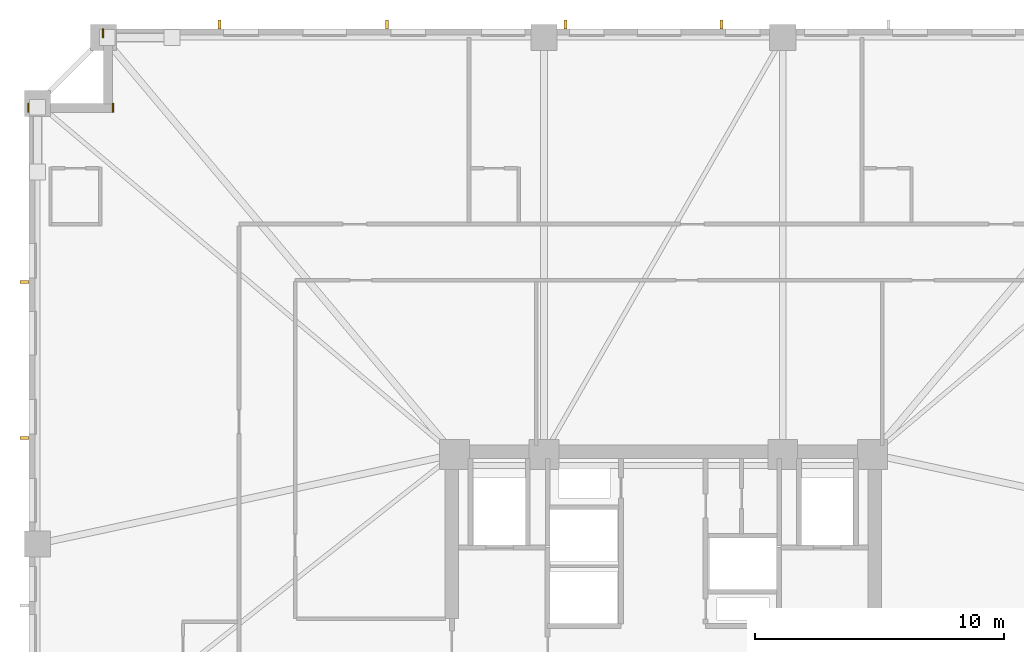
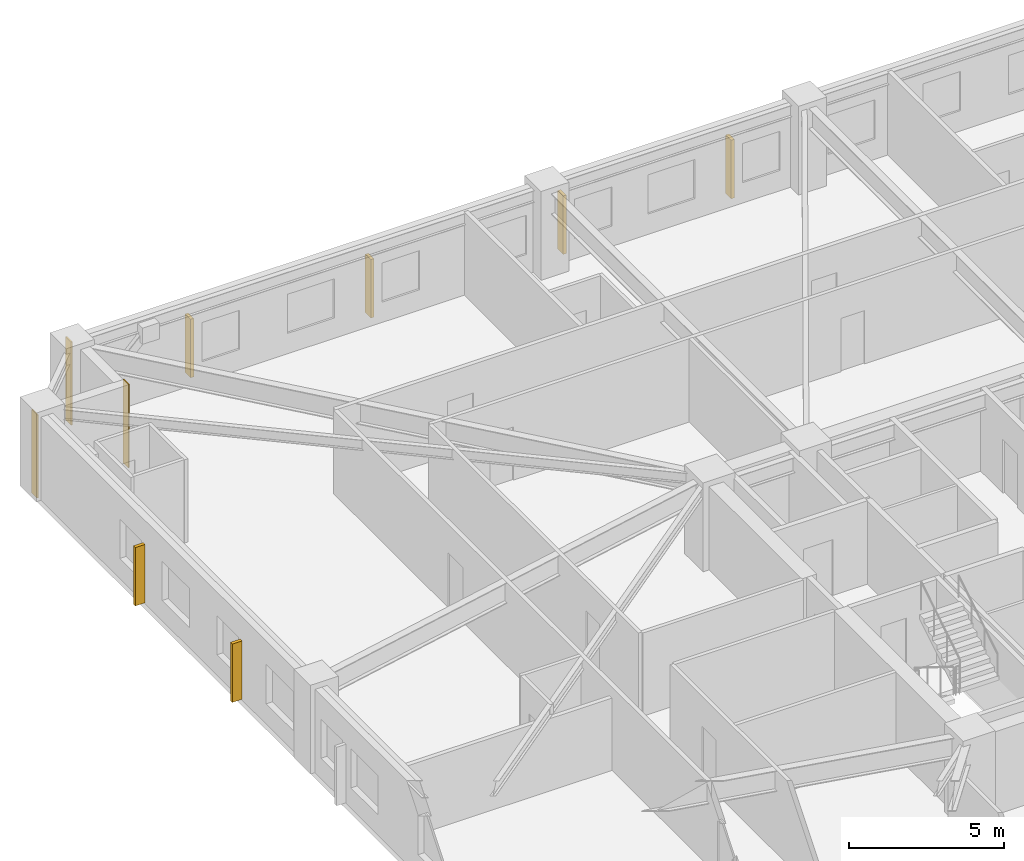
# One storey, part 10 of 11: 6 shading devices, 3 coverings.
"""IFC4 building model written with IfcOpenShell, lengths in metres."""

from ifc_helpers import new_model, si_unit, direction, frame, frame_2d, origin, origin_2d, place, context, subcontext, project, spatial, rectangle, extrude, material, layer, layer_set, type_object, element, save


model = new_model("IFC4")

# Units and contexts
model_context = context("Model", 3, precision=1e-05, world=origin(), true_north=direction((0.0, 1.0)))
body_context = subcontext(model_context, "Body", "Model", "MODEL_VIEW")
ifc_project = project(units=[si_unit("LENGTHUNIT", "METRE"), si_unit("AREAUNIT", "SQUARE_METRE"), si_unit("VOLUMEUNIT", "CUBIC_METRE"), si_unit("PLANEANGLEUNIT", "RADIAN"), si_unit("MASSUNIT", "GRAM", prefix="KILO")], contexts=[model_context])

# Site, building, storey
site_placement = place(None, origin())
site = spatial("IfcSite", under=ifc_project, at=site_placement, CompositionType="ELEMENT")
building_placement = place(site_placement, origin())
building = spatial("IfcBuilding", under=site, at=building_placement, Name="Cairnveth Concourse Tower", CompositionType="ELEMENT")
storey_placement = place(building_placement, frame((0.0, 0.0, 69.0)))
storey = spatial("IfcBuildingStorey", under=building, at=storey_placement, Name="L18", CompositionType="ELEMENT", Elevation=69.0)

# Coverings
ifc_material_1 = material(Name="Dressed Melbourne Bluestone Cladding", Category="masonry")
ifc_layer = layer(ifc_material_1, 0.050048828125)
ifc_layer_set = layer_set([ifc_layer], Name="Dressed Melbourne Bluestone Cladding")
covering_type = type_object("IfcCoveringType", Name="DRESSED BLUESTONE PLINTH CLADDING 50", PredefinedType="CLADDING", material=ifc_layer_set)
for number, where, z_axis, x_axis, name in (
    (1, (26.47998046875, 61.139892578125, 0.0), (0.0, 0.0, 1.0), (0.0, 1.0, 0.0), "Melbourne Bluestone Corner Quoin L18-238"),
    (2, (29.8798828125, 61.139892578125, 0.0), (0.0, 0.0, 1.0), (0.0, 1.0, 0.0), "Melbourne Bluestone Corner Quoin L18-239"),
    (3, (29.47998046875, 64.139892578125, 0.0), (0.0, 0.0, 1.0), (0.0, 1.0, 0.0), "Melbourne Bluestone Corner Quoin L18-240"),
):
    element("IfcCovering", number, at=place(storey_placement, frame(where, z_axis=z_axis, x_axis=x_axis)), inside=storey, type_object=covering_type, Name=name, PredefinedType="CLADDING", context=body_context, shape_type="SweptSolid", body=[
        extrude(rectangle(XDim=0.360107421875, YDim=0.050048828125, at=frame_2d((0.18017578125, 0.0))), origin(), (0.0, 0.0, 1.0), 3.280029296875),
    ])

# Shading devices
ifc_material_2 = material(Name="Architectural Bronze Anodised Aluminium 6063-T6", Category="aluminium")
shading_device_type = type_object("IfcShadingDeviceType", Name="GOTHIC BRONZE VERTICAL LANCET FIN", PredefinedType="USERDEFINED", material=ifc_material_2)
for number, where, z_axis, x_axis, name in (
    (4, (26.324951171875, 48.051513671875, 0.02978515625), (0.0, 0.0, 1.0), (0.0, 1.0, 0.0), "Gothic Bronze Vertical Fin L18-6-9"),
    (5, (26.324951171875, 54.322021484375, 0.02978515625), (0.0, 0.0, 1.0), (0.0, 1.0, 0.0), "Gothic Bronze Vertical Fin L18-6-11"),
    (6, (34.170166015625, 64.675048828125, 0.02978515625), (0.0, 0.0, 1.0), (1.0, 0.0, 0.0), "Gothic Bronze Vertical Fin L18-9-1"),
    (7, (40.890380859375, 64.675048828125, 0.02978515625), (0.0, 0.0, 1.0), (1.0, 0.0, 0.0), "Gothic Bronze Vertical Fin L18-9-3"),
    (8, (48.060791015625, 64.675048828125, 0.02978515625), (0.0, 0.0, 1.0), (1.0, 0.0, 0.0), "Gothic Bronze Vertical Fin L18-9-5"),
    (9, (54.331298828125, 64.675048828125, 0.02978515625), (0.0, 0.0, 1.0), (1.0, 0.0, 0.0), "Gothic Bronze Vertical Fin L18-9-7"),
):
    element("IfcShadingDevice", number, at=place(storey_placement, frame(where, z_axis=z_axis, x_axis=x_axis)), inside=storey, type_object=shading_device_type, Name=name, ObjectType="VERTICAL FIN", PredefinedType="USERDEFINED", context=body_context, shape_type="SweptSolid", body=[
        extrude(rectangle(XDim=0.1201171875, YDim=0.360107421875, at=origin_2d()), origin(), (0.0, 0.0, 1.0), 2.303955078125),
    ])

save(model, "model.ifc")
